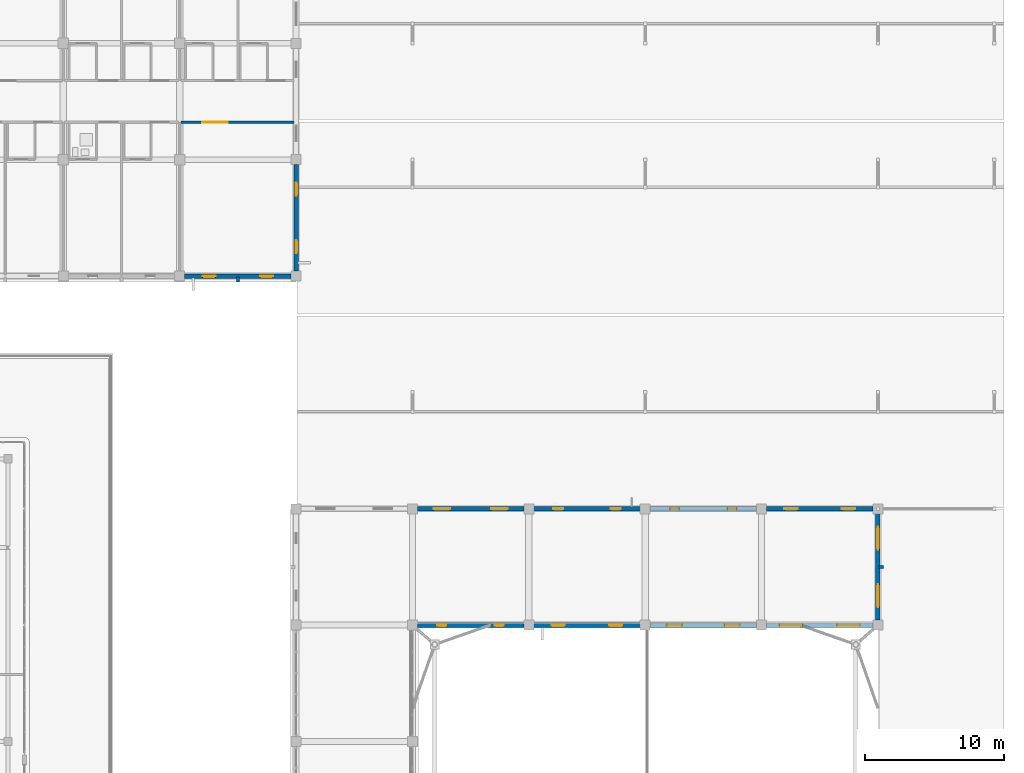
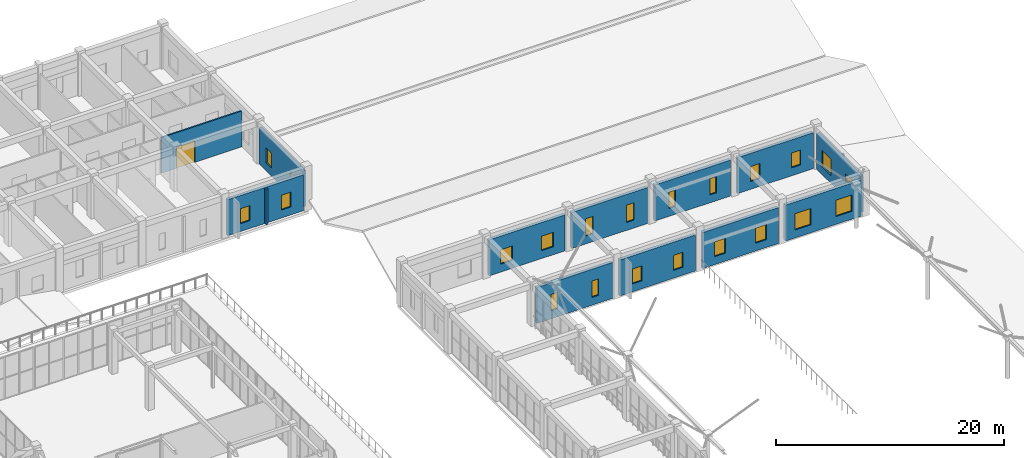
# One storey, part 137 of 158: 22 windows, 14 walls, 1 door, 23 openings.
"""IFC4 building model written with IfcOpenShell, lengths in metres."""

from ifc_helpers import new_model, si_unit, direction, frame, frame_2d, origin, place, context, subcontext, project, spatial, rectangle, extrude, material, layer, layer_set, type_object, element, fill, save


model = new_model("IFC4")

# Units and contexts
model_context = context("Model", 3, precision=1e-05, world=origin(), true_north=direction((0.0, 1.0)))
body_context = subcontext(model_context, "Body", "Model", "MODEL_VIEW")
ifc_project = project(units=[si_unit("LENGTHUNIT", "METRE"), si_unit("AREAUNIT", "SQUARE_METRE"), si_unit("VOLUMEUNIT", "CUBIC_METRE"), si_unit("PLANEANGLEUNIT", "RADIAN"), si_unit("MASSUNIT", "GRAM", prefix="KILO")], contexts=[model_context])

# Site, building, storey
site_placement = place(None, origin())
site = spatial("IfcSite", under=ifc_project, at=site_placement, CompositionType="ELEMENT")
building_placement = place(site_placement, origin())
building = spatial("IfcBuilding", under=site, at=building_placement, Name="Trelvath General Hospital", CompositionType="ELEMENT")
storey_placement = place(building_placement, frame((0.0, 0.0, 8.10009765625)))
storey = spatial("IfcBuildingStorey", under=building, at=storey_placement, Name="L02", CompositionType="ELEMENT", Elevation=8.10009765625)

# Walls
ifc_material_1 = material(Name="Precast concrete C40/50", Category="concrete")
ifc_layer_1 = layer(ifc_material_1, 0.199951171875)
ifc_layer_set_1 = layer_set([ifc_layer_1], Name="Precast concrete C40/50")
wall_type_1 = type_object("IfcWallType", Name="BriseSoleilRib 200", PredefinedType="ELEMENTEDWALL", material=ifc_layer_set_1)
for number, where, z_axis, x_axis, name in (
    (1, (130.199951171875, 92.324951171875, 0.0), (0.0, 0.0, 1.0), (0.0, -1.0, 0.0), "Precast Concrete Brise-Soleil Rib Fin L02-221"),
    (2, (176.47509765625, 71.39990234375, 0.0), (0.0, 0.0, 1.0), (1.0, 0.0, 0.0), "Precast Concrete Brise-Soleil Rib Fin L02-225"),
):
    element("IfcWall", number, at=place(storey_placement, frame(where, z_axis=z_axis, x_axis=x_axis)), inside=storey, type_object=wall_type_1, Name=name, PredefinedType="ELEMENTEDWALL", context=body_context, shape_type="SweptSolid", body=[
        extrude(rectangle(XDim=0.33984375, YDim=0.199951171875, at=frame_2d((0.169921875, 0.0))), origin(), (0.0, 0.0, 1.0), 3.83984375),
    ])

# Wall, opening, door
ifc_material_2 = material(Name="Gypsum acoustic steel-stud partition", Category="steel")
ifc_layer_2 = layer(ifc_material_2, 0.14990234375)
ifc_layer_set_2 = layer_set([ifc_layer_2], Name="Gypsum acoustic steel-stud partition")
wall_type_2 = type_object("IfcWallType", Name="ClinicalPartition 150", PredefinedType="PARTITIONING", material=ifc_layer_set_2)
wall_1_placement = place(storey_placement, frame((126.080078125, 103.5, 0.0), z_axis=(0.0, 0.0, 1.0), x_axis=(1.0, 0.0, 0.0)))
wall_1 = element("IfcWall", 3, at=wall_1_placement, inside=storey, type_object=wall_type_2, Name="Corridor Partition L02-1016", PredefinedType="PARTITIONING", context=body_context, shape_type="SweptSolid", body=[
    extrude(rectangle(XDim=8.179931640625, YDim=0.14990234375, at=frame_2d((4.08984375, 0.0))), origin(), (0.0, 0.0, 1.0), 3.83984375),
])
opening_1_placement = place(wall_1_placement, frame((1.530029296875, 0.0, 0.0)))
opening_1 = element("IfcOpeningElement", 4, at=opening_1_placement, cuts=wall_1, Name="Opening D-2-0791", PredefinedType="OPENING", context=body_context, shape_type="SweptSolid", body=[
    extrude(rectangle(XDim=1.85009765625, YDim=2.300048828125, at=frame_2d((0.925048828125, 1.14990234375))), frame((0.0, 0.0849609375, 0.0), z_axis=(0.0, -1.0, 0.0), x_axis=(1.0, 0.0, 0.0)), (0.0, 0.0, 1.0), 0.169921875),
])
ifc_material_3 = material(Name="Fire-rated steel cross-corridor pair", Category="steel")
door_type = type_object("IfcDoorType", Name="Door SmokeCross 1850x2300", OperationType="DOUBLE_SWING_LEFT", PredefinedType="DOOR", material=ifc_material_3)
door_placement = place(opening_1_placement, origin())
door = element("IfcDoor", 5, at=door_placement, inside=storey, type_object=door_type, Name="Waiting Lounge Door L02-791", OperationType="DOUBLE_SWING_LEFT", OverallHeight=2.300048828125, OverallWidth=1.85009765625, PredefinedType="DOOR", context=body_context, shape_type="SweptSolid", body=[
    extrude(rectangle(XDim=1.85009765625, YDim=2.300048828125, at=frame_2d((0.925048828125, 1.14990234375))), frame((0.0, 0.02490234375, 0.0), z_axis=(0.0, -1.0, 0.0), x_axis=(1.0, 0.0, 0.0)), (0.0, 0.0, 1.0), 0.050048828125),
])
fill(opening_1, door)

# Wall, openings, windows
ifc_material_4 = material(Name="Concrete C35/45", Category="concrete")
ifc_layer_3 = layer(ifc_material_4, 0.320068359375)
ifc_layer_set_3 = layer_set([ifc_layer_3], Name="Concrete C35/45")
wall_type_3 = type_object("IfcWallType", Name="ExtThermalWall 320", PredefinedType="SOLIDWALL", material=ifc_layer_set_3)
wall_2_placement = place(storey_placement, frame((134.044921875, 92.39990234375, 0.0), z_axis=(0.0, 0.0, 1.0), x_axis=(-1.0, 0.0, 0.0)))
wall_2 = element("IfcWall", 6, at=wall_2_placement, inside=storey, type_object=wall_type_3, Name="Exterior Concrete Wall L02-300", PredefinedType="SOLIDWALL", context=body_context, shape_type="SweptSolid", body=[
    extrude(rectangle(XDim=7.68994140625, YDim=0.320068359375, at=frame_2d((3.844970703125, 0.0))), origin(), (0.0, 0.0, 1.0), 3.85986328125),
])
opening_2_placement = place(wall_2_placement, frame((1.293701171875, 0.0, 0.85009765625)))
opening_2 = element("IfcOpeningElement", 7, at=opening_2_placement, cuts=wall_2, Name="Opening WN-2-477", PredefinedType="OPENING", context=body_context, shape_type="SweptSolid", body=[
    extrude(rectangle(XDim=0.949951171875, YDim=1.60009765625, at=frame_2d((0.47509765625, 0.800048828125))), frame((0.0, 0.169921875, 0.0), z_axis=(0.0, -1.0, 0.0), x_axis=(1.0, 0.0, 0.0)), (0.0, 0.0, 1.0), 0.340087890625),
])
opening_3_placement = place(wall_2_placement, frame((5.4462890625, 0.0, 0.85009765625)))
opening_3 = element("IfcOpeningElement", 8, at=opening_3_placement, cuts=wall_2, Name="Opening WN-2-478", PredefinedType="OPENING", context=body_context, shape_type="SweptSolid", body=[
    extrude(rectangle(XDim=0.949951171875, YDim=1.60009765625, at=frame_2d((0.47509765625, 0.800048828125))), frame((0.0, 0.169921875, 0.0), z_axis=(0.0, -1.0, 0.0), x_axis=(1.0, 0.0, 0.0)), (0.0, 0.0, 1.0), 0.340087890625),
])
ifc_material_5 = material(Name="Low-E laminated glass", Category="glass")
window_type_1 = type_object("IfcWindowType", Name="Window DeepReveal 950x1600", PartitioningType="SINGLE_PANEL", PredefinedType="WINDOW", material=ifc_material_5)
window_1_placement = place(opening_2_placement, origin())
window_1 = element("IfcWindow", 9, at=window_1_placement, inside=storey, type_object=window_type_1, Name="Solar Reveal Window L02-477", OverallHeight=1.60009765625, OverallWidth=0.949951171875, PartitioningType="SINGLE_PANEL", PredefinedType="WINDOW", context=body_context, shape_type="SweptSolid", body=[
    extrude(rectangle(XDim=0.949951171875, YDim=1.60009765625, at=frame_2d((0.47509765625, 0.800048828125))), frame((0.0, 0.030029296875, 0.0), z_axis=(0.0, -1.0, 0.0), x_axis=(1.0, 0.0, 0.0)), (0.0, 0.0, 1.0), 0.06005859375),
])
fill(opening_2, window_1)
window_2_placement = place(opening_3_placement, origin())
window_2 = element("IfcWindow", 10, at=window_2_placement, inside=storey, type_object=window_type_1, Name="Solar Reveal Window L02-478", OverallHeight=1.60009765625, OverallWidth=0.949951171875, PartitioningType="SINGLE_PANEL", PredefinedType="WINDOW", context=body_context, shape_type="SweptSolid", body=[
    extrude(rectangle(XDim=0.949951171875, YDim=1.60009765625, at=frame_2d((0.47509765625, 0.800048828125))), frame((0.0, 0.030029296875, 0.0), z_axis=(0.0, -1.0, 0.0), x_axis=(1.0, 0.0, 0.0)), (0.0, 0.0, 1.0), 0.06005859375),
])
fill(opening_3, window_2)

wall_3_placement = place(storey_placement, frame((134.39990234375, 100.445068359375, 0.0), z_axis=(0.0, 0.0, 1.0), x_axis=(0.0, -1.0, 0.0)))
wall_3 = element("IfcWall", 11, at=wall_3_placement, inside=storey, type_object=wall_type_3, Name="Exterior Concrete Wall L02-301", PredefinedType="SOLIDWALL", context=body_context, shape_type="SweptSolid", body=[
    extrude(rectangle(XDim=7.690185546875, YDim=0.320068359375, at=frame_2d((3.84521484375, 0.0))), origin(), (0.0, 0.0, 1.0), 3.85986328125),
])
opening_4_placement = place(wall_3_placement, frame((1.293701171875, 0.0, 0.85009765625)))
opening_4 = element("IfcOpeningElement", 12, at=opening_4_placement, cuts=wall_3, Name="Opening WN-2-479", PredefinedType="OPENING", context=body_context, shape_type="SweptSolid", body=[
    extrude(rectangle(XDim=0.949951171875, YDim=1.60009765625, at=frame_2d((0.47509765625, 0.800048828125))), frame((0.0, 0.169921875, 0.0), z_axis=(0.0, -1.0, 0.0), x_axis=(1.0, 0.0, 0.0)), (0.0, 0.0, 1.0), 0.340087890625),
])
opening_5_placement = place(wall_3_placement, frame((5.4462890625, 0.0, 0.85009765625)))
opening_5 = element("IfcOpeningElement", 13, at=opening_5_placement, cuts=wall_3, Name="Opening WN-2-480", PredefinedType="OPENING", context=body_context, shape_type="SweptSolid", body=[
    extrude(rectangle(XDim=0.949951171875, YDim=1.60009765625, at=frame_2d((0.47509765625, 0.800048828125))), frame((0.0, 0.169921875, 0.0), z_axis=(0.0, -1.0, 0.0), x_axis=(1.0, 0.0, 0.0)), (0.0, 0.0, 1.0), 0.340087890625),
])
window_3_placement = place(opening_4_placement, origin())
window_3 = element("IfcWindow", 14, at=window_3_placement, inside=storey, type_object=window_type_1, Name="Solar Reveal Window L02-479", OverallHeight=1.60009765625, OverallWidth=0.949951171875, PartitioningType="SINGLE_PANEL", PredefinedType="WINDOW", context=body_context, shape_type="SweptSolid", body=[
    extrude(rectangle(XDim=0.949951171875, YDim=1.60009765625, at=frame_2d((0.47509765625, 0.800048828125))), frame((0.0, 0.030029296875, 0.0), z_axis=(0.0, -1.0, 0.0), x_axis=(1.0, 0.0, 0.0)), (0.0, 0.0, 1.0), 0.06005859375),
])
fill(opening_4, window_3)
window_4_placement = place(opening_5_placement, origin())
window_4 = element("IfcWindow", 15, at=window_4_placement, inside=storey, type_object=window_type_1, Name="Solar Reveal Window L02-480", OverallHeight=1.60009765625, OverallWidth=0.949951171875, PartitioningType="SINGLE_PANEL", PredefinedType="WINDOW", context=body_context, shape_type="SweptSolid", body=[
    extrude(rectangle(XDim=0.949951171875, YDim=1.60009765625, at=frame_2d((0.47509765625, 0.800048828125))), frame((0.0, 0.030029296875, 0.0), z_axis=(0.0, -1.0, 0.0), x_axis=(1.0, 0.0, 0.0)), (0.0, 0.0, 1.0), 0.06005859375),
])
fill(opening_5, window_4)

wall_4_placement = place(storey_placement, frame((150.844970703125, 67.199951171875, 0.0), z_axis=(0.0, 0.0, 1.0), x_axis=(-1.0, 0.0, 0.0)))
wall_4 = element("IfcWall", 16, at=wall_4_placement, inside=storey, type_object=wall_type_3, Name="Exterior Concrete Wall L02-310", PredefinedType="SOLIDWALL", context=body_context, shape_type="SweptSolid", body=[
    extrude(rectangle(XDim=7.68994140625, YDim=0.320068359375, at=frame_2d((3.844970703125, 0.0))), origin(), (0.0, 0.0, 1.0), 3.85986328125),
])
opening_6_placement = place(wall_4_placement, frame((1.443603515625, 0.0, 0.85009765625)))
opening_6 = element("IfcOpeningElement", 17, at=opening_6_placement, cuts=wall_4, Name="Opening WN-2-497", PredefinedType="OPENING", context=body_context, shape_type="SweptSolid", body=[
    extrude(rectangle(XDim=0.64990234375, YDim=1.75, at=frame_2d((0.324951171875, 0.875))), frame((0.0, 0.169921875, 0.0), z_axis=(0.0, -1.0, 0.0), x_axis=(1.0, 0.0, 0.0)), (0.0, 0.0, 1.0), 0.340087890625),
])
opening_7_placement = place(wall_4_placement, frame((5.59619140625, 0.0, 0.85009765625)))
opening_7 = element("IfcOpeningElement", 18, at=opening_7_placement, cuts=wall_4, Name="Opening WN-2-498", PredefinedType="OPENING", context=body_context, shape_type="SweptSolid", body=[
    extrude(rectangle(XDim=0.64990234375, YDim=1.75, at=frame_2d((0.324951171875, 0.875))), frame((0.0, 0.169921875, 0.0), z_axis=(0.0, -1.0, 0.0), x_axis=(1.0, 0.0, 0.0)), (0.0, 0.0, 1.0), 0.340087890625),
])
ifc_material_6 = material(Name="Low-E laminated glass", Category="glass")
window_type_2 = type_object("IfcWindowType", Name="Window SunSlot 650x1750", PartitioningType="SINGLE_PANEL", PredefinedType="WINDOW", material=ifc_material_6)
window_5_placement = place(opening_6_placement, origin())
window_5 = element("IfcWindow", 19, at=window_5_placement, inside=storey, type_object=window_type_2, Name="Solar Reveal Window L02-497", OverallHeight=1.75, OverallWidth=0.64990234375, PartitioningType="SINGLE_PANEL", PredefinedType="WINDOW", context=body_context, shape_type="SweptSolid", body=[
    extrude(rectangle(XDim=0.64990234375, YDim=1.75, at=frame_2d((0.324951171875, 0.875))), frame((0.0, 0.030029296875, 0.0), z_axis=(0.0, -1.0, 0.0), x_axis=(1.0, 0.0, 0.0)), (0.0, 0.0, 1.0), 0.06005859375),
])
fill(opening_6, window_5)
window_6_placement = place(opening_7_placement, origin())
window_6 = element("IfcWindow", 20, at=window_6_placement, inside=storey, type_object=window_type_2, Name="Solar Reveal Window L02-498", OverallHeight=1.75, OverallWidth=0.64990234375, PartitioningType="SINGLE_PANEL", PredefinedType="WINDOW", context=body_context, shape_type="SweptSolid", body=[
    extrude(rectangle(XDim=0.64990234375, YDim=1.75, at=frame_2d((0.324951171875, 0.875))), frame((0.0, 0.030029296875, 0.0), z_axis=(0.0, -1.0, 0.0), x_axis=(1.0, 0.0, 0.0)), (0.0, 0.0, 1.0), 0.06005859375),
])
fill(opening_7, window_6)

wall_5_placement = place(storey_placement, frame((143.155029296875, 75.60009765625, 0.0), z_axis=(0.0, 0.0, 1.0), x_axis=(1.0, 0.0, 0.0)))
wall_5 = element("IfcWall", 21, at=wall_5_placement, inside=storey, type_object=wall_type_3, Name="Exterior Concrete Wall L02-311", PredefinedType="SOLIDWALL", context=body_context, shape_type="SweptSolid", body=[
    extrude(rectangle(XDim=7.68994140625, YDim=0.320068359375, at=frame_2d((3.844970703125, 0.0))), origin(), (0.0, 0.0, 1.0), 3.85986328125),
])
opening_8_placement = place(wall_5_placement, frame((1.168701171875, 0.0, 0.85009765625)))
opening_8 = element("IfcOpeningElement", 22, at=opening_8_placement, cuts=wall_5, Name="Opening WN-2-499", PredefinedType="OPENING", context=body_context, shape_type="SweptSolid", body=[
    extrude(rectangle(XDim=1.199951171875, YDim=1.550048828125, at=frame_2d((0.60009765625, 0.77490234375))), frame((0.0, 0.169921875, 0.0), z_axis=(0.0, -1.0, 0.0), x_axis=(1.0, 0.0, 0.0)), (0.0, 0.0, 1.0), 0.340087890625),
])
opening_9_placement = place(wall_5_placement, frame((5.3212890625, 0.0, 0.85009765625)))
opening_9 = element("IfcOpeningElement", 23, at=opening_9_placement, cuts=wall_5, Name="Opening WN-2-500", PredefinedType="OPENING", context=body_context, shape_type="SweptSolid", body=[
    extrude(rectangle(XDim=1.199951171875, YDim=1.550048828125, at=frame_2d((0.60009765625, 0.77490234375))), frame((0.0, 0.169921875, 0.0), z_axis=(0.0, -1.0, 0.0), x_axis=(1.0, 0.0, 0.0)), (0.0, 0.0, 1.0), 0.340087890625),
])
ifc_material_7 = material(Name="Low-E laminated glass", Category="glass")
window_type_3 = type_object("IfcWindowType", Name="Window WardSouth 1200x1550", PartitioningType="SINGLE_PANEL", PredefinedType="WINDOW", material=ifc_material_7)
window_7_placement = place(opening_8_placement, origin())
window_7 = element("IfcWindow", 24, at=window_7_placement, inside=storey, type_object=window_type_3, Name="Solar Reveal Window L02-499", OverallHeight=1.550048828125, OverallWidth=1.199951171875, PartitioningType="SINGLE_PANEL", PredefinedType="WINDOW", context=body_context, shape_type="SweptSolid", body=[
    extrude(rectangle(XDim=1.199951171875, YDim=1.550048828125, at=frame_2d((0.60009765625, 0.77490234375))), frame((0.0, 0.030029296875, 0.0), z_axis=(0.0, -1.0, 0.0), x_axis=(1.0, 0.0, 0.0)), (0.0, 0.0, 1.0), 0.06005859375),
])
fill(opening_8, window_7)
window_8_placement = place(opening_9_placement, origin())
window_8 = element("IfcWindow", 25, at=window_8_placement, inside=storey, type_object=window_type_3, Name="Solar Reveal Window L02-500", OverallHeight=1.550048828125, OverallWidth=1.199951171875, PartitioningType="SINGLE_PANEL", PredefinedType="WINDOW", context=body_context, shape_type="SweptSolid", body=[
    extrude(rectangle(XDim=1.199951171875, YDim=1.550048828125, at=frame_2d((0.60009765625, 0.77490234375))), frame((0.0, 0.030029296875, 0.0), z_axis=(0.0, -1.0, 0.0), x_axis=(1.0, 0.0, 0.0)), (0.0, 0.0, 1.0), 0.06005859375),
])
fill(opening_9, window_8)

wall_6_placement = place(storey_placement, frame((159.2451171875, 67.199951171875, 0.0), z_axis=(0.0, 0.0, 1.0), x_axis=(-1.0, 0.0, 0.0)))
wall_6 = element("IfcWall", 26, at=wall_6_placement, inside=storey, type_object=wall_type_3, Name="Exterior Concrete Wall L02-314", PredefinedType="SOLIDWALL", context=body_context, shape_type="SweptSolid", body=[
    extrude(rectangle(XDim=7.690185546875, YDim=0.320068359375, at=frame_2d((3.84521484375, 0.0))), origin(), (0.0, 0.0, 1.0), 3.85986328125),
])
opening_10_placement = place(wall_6_placement, frame((1.293701171875, 0.0, 0.85009765625)))
opening_10 = element("IfcOpeningElement", 27, at=opening_10_placement, cuts=wall_6, Name="Opening WN-2-505", PredefinedType="OPENING", context=body_context, shape_type="SweptSolid", body=[
    extrude(rectangle(XDim=0.949951171875, YDim=1.60009765625, at=frame_2d((0.47509765625, 0.800048828125))), frame((0.0, 0.169921875, 0.0), z_axis=(0.0, -1.0, 0.0), x_axis=(1.0, 0.0, 0.0)), (0.0, 0.0, 1.0), 0.340087890625),
])
opening_11_placement = place(wall_6_placement, frame((5.4462890625, 0.0, 0.85009765625)))
opening_11 = element("IfcOpeningElement", 28, at=opening_11_placement, cuts=wall_6, Name="Opening WN-2-506", PredefinedType="OPENING", context=body_context, shape_type="SweptSolid", body=[
    extrude(rectangle(XDim=0.949951171875, YDim=1.60009765625, at=frame_2d((0.47509765625, 0.800048828125))), frame((0.0, 0.169921875, 0.0), z_axis=(0.0, -1.0, 0.0), x_axis=(1.0, 0.0, 0.0)), (0.0, 0.0, 1.0), 0.340087890625),
])
window_9_placement = place(opening_10_placement, origin())
window_9 = element("IfcWindow", 29, at=window_9_placement, inside=storey, type_object=window_type_1, Name="Solar Reveal Window L02-505", OverallHeight=1.60009765625, OverallWidth=0.949951171875, PartitioningType="SINGLE_PANEL", PredefinedType="WINDOW", context=body_context, shape_type="SweptSolid", body=[
    extrude(rectangle(XDim=0.949951171875, YDim=1.60009765625, at=frame_2d((0.47509765625, 0.800048828125))), frame((0.0, 0.030029296875, 0.0), z_axis=(0.0, -1.0, 0.0), x_axis=(1.0, 0.0, 0.0)), (0.0, 0.0, 1.0), 0.06005859375),
])
fill(opening_10, window_9)
window_10_placement = place(opening_11_placement, origin())
window_10 = element("IfcWindow", 30, at=window_10_placement, inside=storey, type_object=window_type_1, Name="Solar Reveal Window L02-506", OverallHeight=1.60009765625, OverallWidth=0.949951171875, PartitioningType="SINGLE_PANEL", PredefinedType="WINDOW", context=body_context, shape_type="SweptSolid", body=[
    extrude(rectangle(XDim=0.949951171875, YDim=1.60009765625, at=frame_2d((0.47509765625, 0.800048828125))), frame((0.0, 0.030029296875, 0.0), z_axis=(0.0, -1.0, 0.0), x_axis=(1.0, 0.0, 0.0)), (0.0, 0.0, 1.0), 0.06005859375),
])
fill(opening_11, window_10)

wall_7_placement = place(storey_placement, frame((151.554931640625, 75.60009765625, 0.0), z_axis=(0.0, 0.0, 1.0), x_axis=(1.0, 0.0, 0.0)))
wall_7 = element("IfcWall", 31, at=wall_7_placement, inside=storey, type_object=wall_type_3, Name="Exterior Concrete Wall L02-315", PredefinedType="SOLIDWALL", context=body_context, shape_type="SweptSolid", body=[
    extrude(rectangle(XDim=7.690185546875, YDim=0.320068359375, at=frame_2d((3.84521484375, 0.0))), origin(), (0.0, 0.0, 1.0), 3.85986328125),
])
opening_12_placement = place(wall_7_placement, frame((1.393798828125, 0.0, 0.85009765625)))
opening_12 = element("IfcOpeningElement", 32, at=opening_12_placement, cuts=wall_7, Name="Opening WN-2-507", PredefinedType="OPENING", context=body_context, shape_type="SweptSolid", body=[
    extrude(rectangle(XDim=0.75, YDim=1.85009765625, at=frame_2d((0.375, 0.925048828125))), frame((0.0, 0.169921875, 0.0), z_axis=(0.0, -1.0, 0.0), x_axis=(1.0, 0.0, 0.0)), (0.0, 0.0, 1.0), 0.340087890625),
])
opening_13_placement = place(wall_7_placement, frame((5.54638671875, 0.0, 0.85009765625)))
opening_13 = element("IfcOpeningElement", 33, at=opening_13_placement, cuts=wall_7, Name="Opening WN-2-508", PredefinedType="OPENING", context=body_context, shape_type="SweptSolid", body=[
    extrude(rectangle(XDim=0.75, YDim=1.85009765625, at=frame_2d((0.375, 0.925048828125))), frame((0.0, 0.169921875, 0.0), z_axis=(0.0, -1.0, 0.0), x_axis=(1.0, 0.0, 0.0)), (0.0, 0.0, 1.0), 0.340087890625),
])
ifc_material_8 = material(Name="Low-E laminated glass", Category="glass")
window_type_4 = type_object("IfcWindowType", Name="Window SunSlot 750x1850", PartitioningType="SINGLE_PANEL", PredefinedType="WINDOW", material=ifc_material_8)
window_11_placement = place(opening_12_placement, origin())
window_11 = element("IfcWindow", 34, at=window_11_placement, inside=storey, type_object=window_type_4, Name="Solar Reveal Window L02-507", OverallHeight=1.85009765625, OverallWidth=0.75, PartitioningType="SINGLE_PANEL", PredefinedType="WINDOW", context=body_context, shape_type="SweptSolid", body=[
    extrude(rectangle(XDim=0.75, YDim=1.85009765625, at=frame_2d((0.375, 0.925048828125))), frame((0.0, 0.030029296875, 0.0), z_axis=(0.0, -1.0, 0.0), x_axis=(1.0, 0.0, 0.0)), (0.0, 0.0, 1.0), 0.06005859375),
])
fill(opening_12, window_11)
window_12_placement = place(opening_13_placement, origin())
window_12 = element("IfcWindow", 35, at=window_12_placement, inside=storey, type_object=window_type_4, Name="Solar Reveal Window L02-508", OverallHeight=1.85009765625, OverallWidth=0.75, PartitioningType="SINGLE_PANEL", PredefinedType="WINDOW", context=body_context, shape_type="SweptSolid", body=[
    extrude(rectangle(XDim=0.75, YDim=1.85009765625, at=frame_2d((0.375, 0.925048828125))), frame((0.0, 0.030029296875, 0.0), z_axis=(0.0, -1.0, 0.0), x_axis=(1.0, 0.0, 0.0)), (0.0, 0.0, 1.0), 0.06005859375),
])
fill(opening_13, window_12)

wall_8_placement = place(storey_placement, frame((167.64501953125, 67.199951171875, 0.0), z_axis=(0.0, 0.0, 1.0), x_axis=(-1.0, 0.0, 0.0)))
wall_8 = element("IfcWall", 36, at=wall_8_placement, inside=storey, type_object=wall_type_3, Name="Exterior Concrete Wall L02-318", PredefinedType="SOLIDWALL", context=body_context, shape_type="SweptSolid", body=[
    extrude(rectangle(XDim=7.68994140625, YDim=0.320068359375, at=frame_2d((3.844970703125, 0.0))), origin(), (0.0, 0.0, 1.0), 3.85986328125),
])
opening_14_placement = place(wall_8_placement, frame((1.21875, 0.0, 0.85009765625)))
opening_14 = element("IfcOpeningElement", 37, at=opening_14_placement, cuts=wall_8, Name="Opening WN-2-513", PredefinedType="OPENING", context=body_context, shape_type="SweptSolid", body=[
    extrude(rectangle(XDim=1.10009765625, YDim=1.60009765625, at=frame_2d((0.550048828125, 0.800048828125))), frame((0.0, 0.169921875, 0.0), z_axis=(0.0, -1.0, 0.0), x_axis=(1.0, 0.0, 0.0)), (0.0, 0.0, 1.0), 0.340087890625),
])
opening_15_placement = place(wall_8_placement, frame((5.371337890625, 0.0, 0.85009765625)))
opening_15 = element("IfcOpeningElement", 38, at=opening_15_placement, cuts=wall_8, Name="Opening WN-2-514", PredefinedType="OPENING", context=body_context, shape_type="SweptSolid", body=[
    extrude(rectangle(XDim=1.10009765625, YDim=1.60009765625, at=frame_2d((0.550048828125, 0.800048828125))), frame((0.0, 0.169921875, 0.0), z_axis=(0.0, -1.0, 0.0), x_axis=(1.0, 0.0, 0.0)), (0.0, 0.0, 1.0), 0.340087890625),
])
ifc_material_9 = material(Name="Low-E laminated glass", Category="glass")
window_type_5 = type_object("IfcWindowType", Name="Window DeepReveal 1100x1600", PartitioningType="SINGLE_PANEL", PredefinedType="WINDOW", material=ifc_material_9)
window_13_placement = place(opening_14_placement, origin())
window_13 = element("IfcWindow", 39, at=window_13_placement, inside=storey, type_object=window_type_5, Name="Solar Reveal Window L02-513", OverallHeight=1.60009765625, OverallWidth=1.10009765625, PartitioningType="SINGLE_PANEL", PredefinedType="WINDOW", context=body_context, shape_type="SweptSolid", body=[
    extrude(rectangle(XDim=1.10009765625, YDim=1.60009765625, at=frame_2d((0.550048828125, 0.800048828125))), frame((0.0, 0.030029296875, 0.0), z_axis=(0.0, -1.0, 0.0), x_axis=(1.0, 0.0, 0.0)), (0.0, 0.0, 1.0), 0.06005859375),
])
fill(opening_14, window_13)
window_14_placement = place(opening_15_placement, origin())
window_14 = element("IfcWindow", 40, at=window_14_placement, inside=storey, type_object=window_type_5, Name="Solar Reveal Window L02-514", OverallHeight=1.60009765625, OverallWidth=1.10009765625, PartitioningType="SINGLE_PANEL", PredefinedType="WINDOW", context=body_context, shape_type="SweptSolid", body=[
    extrude(rectangle(XDim=1.10009765625, YDim=1.60009765625, at=frame_2d((0.550048828125, 0.800048828125))), frame((0.0, 0.030029296875, 0.0), z_axis=(0.0, -1.0, 0.0), x_axis=(1.0, 0.0, 0.0)), (0.0, 0.0, 1.0), 0.06005859375),
])
fill(opening_15, window_14)

wall_9_placement = place(storey_placement, frame((159.955078125, 75.60009765625, 0.0), z_axis=(0.0, 0.0, 1.0), x_axis=(1.0, 0.0, 0.0)))
wall_9 = element("IfcWall", 41, at=wall_9_placement, inside=storey, type_object=wall_type_3, Name="Exterior Concrete Wall L02-319", PredefinedType="SOLIDWALL", context=body_context, shape_type="SweptSolid", body=[
    extrude(rectangle(XDim=7.68994140625, YDim=0.320068359375, at=frame_2d((3.844970703125, 0.0))), origin(), (0.0, 0.0, 1.0), 3.85986328125),
])
opening_16_placement = place(wall_9_placement, frame((1.443603515625, 0.0, 0.85009765625)))
opening_16 = element("IfcOpeningElement", 42, at=opening_16_placement, cuts=wall_9, Name="Opening WN-2-515", PredefinedType="OPENING", context=body_context, shape_type="SweptSolid", body=[
    extrude(rectangle(XDim=0.64990234375, YDim=1.75, at=frame_2d((0.324951171875, 0.875))), frame((0.0, 0.169921875, 0.0), z_axis=(0.0, -1.0, 0.0), x_axis=(1.0, 0.0, 0.0)), (0.0, 0.0, 1.0), 0.340087890625),
])
opening_17_placement = place(wall_9_placement, frame((5.59619140625, 0.0, 0.85009765625)))
opening_17 = element("IfcOpeningElement", 43, at=opening_17_placement, cuts=wall_9, Name="Opening WN-2-516", PredefinedType="OPENING", context=body_context, shape_type="SweptSolid", body=[
    extrude(rectangle(XDim=0.64990234375, YDim=1.75, at=frame_2d((0.324951171875, 0.875))), frame((0.0, 0.169921875, 0.0), z_axis=(0.0, -1.0, 0.0), x_axis=(1.0, 0.0, 0.0)), (0.0, 0.0, 1.0), 0.340087890625),
])
window_15_placement = place(opening_16_placement, origin())
window_15 = element("IfcWindow", 44, at=window_15_placement, inside=storey, type_object=window_type_2, Name="Solar Reveal Window L02-515", OverallHeight=1.75, OverallWidth=0.64990234375, PartitioningType="SINGLE_PANEL", PredefinedType="WINDOW", context=body_context, shape_type="SweptSolid", body=[
    extrude(rectangle(XDim=0.64990234375, YDim=1.75, at=frame_2d((0.324951171875, 0.875))), frame((0.0, 0.030029296875, 0.0), z_axis=(0.0, -1.0, 0.0), x_axis=(1.0, 0.0, 0.0)), (0.0, 0.0, 1.0), 0.06005859375),
])
fill(opening_16, window_15)
window_16_placement = place(opening_17_placement, origin())
window_16 = element("IfcWindow", 45, at=window_16_placement, inside=storey, type_object=window_type_2, Name="Solar Reveal Window L02-516", OverallHeight=1.75, OverallWidth=0.64990234375, PartitioningType="SINGLE_PANEL", PredefinedType="WINDOW", context=body_context, shape_type="SweptSolid", body=[
    extrude(rectangle(XDim=0.64990234375, YDim=1.75, at=frame_2d((0.324951171875, 0.875))), frame((0.0, 0.030029296875, 0.0), z_axis=(0.0, -1.0, 0.0), x_axis=(1.0, 0.0, 0.0)), (0.0, 0.0, 1.0), 0.06005859375),
])
fill(opening_17, window_16)

wall_10_placement = place(storey_placement, frame((176.044921875, 67.199951171875, 0.0), z_axis=(0.0, 0.0, 1.0), x_axis=(-1.0, 0.0, 0.0)))
wall_10 = element("IfcWall", 46, at=wall_10_placement, inside=storey, type_object=wall_type_3, Name="Exterior Concrete Wall L02-323", PredefinedType="SOLIDWALL", context=body_context, shape_type="SweptSolid", body=[
    extrude(rectangle(XDim=7.68994140625, YDim=0.320068359375, at=frame_2d((3.844970703125, 0.0))), origin(), (0.0, 0.0, 1.0), 3.85986328125),
])
opening_18_placement = place(wall_10_placement, frame((0.94873046875, 0.0, 0.85009765625)))
opening_18 = element("IfcOpeningElement", 47, at=opening_18_placement, cuts=wall_10, Name="Opening WN-2-523", PredefinedType="OPENING", context=body_context, shape_type="SweptSolid", body=[
    extrude(rectangle(XDim=1.639892578125, YDim=1.75, at=frame_2d((0.81982421875, 0.875))), frame((0.0, 0.169921875, 0.0), z_axis=(0.0, -1.0, 0.0), x_axis=(1.0, 0.0, 0.0)), (0.0, 0.0, 1.0), 0.340087890625),
])
opening_19_placement = place(wall_10_placement, frame((5.101318359375, 0.0, 0.85009765625)))
opening_19 = element("IfcOpeningElement", 48, at=opening_19_placement, cuts=wall_10, Name="Opening WN-2-524", PredefinedType="OPENING", context=body_context, shape_type="SweptSolid", body=[
    extrude(rectangle(XDim=1.639892578125, YDim=1.75, at=frame_2d((0.81982421875, 0.875))), frame((0.0, 0.169921875, 0.0), z_axis=(0.0, -1.0, 0.0), x_axis=(1.0, 0.0, 0.0)), (0.0, 0.0, 1.0), 0.340087890625),
])
ifc_material_10 = material(Name="Low-E laminated glass", Category="glass")
window_type_6 = type_object("IfcWindowType", Name="Window ICU 1640x1750", PartitioningType="DOUBLE_PANEL_VERTICAL", PredefinedType="WINDOW", material=ifc_material_10)
window_17_placement = place(opening_18_placement, origin())
window_17 = element("IfcWindow", 49, at=window_17_placement, inside=storey, type_object=window_type_6, Name="Solar Reveal Window L02-523", OverallHeight=1.75, OverallWidth=1.639892578125, PartitioningType="SINGLE_PANEL", PredefinedType="WINDOW", context=body_context, shape_type="SweptSolid", body=[
    extrude(rectangle(XDim=1.639892578125, YDim=1.75, at=frame_2d((0.81982421875, 0.875))), frame((0.0, 0.030029296875, 0.0), z_axis=(0.0, -1.0, 0.0), x_axis=(1.0, 0.0, 0.0)), (0.0, 0.0, 1.0), 0.06005859375),
])
fill(opening_18, window_17)
window_18_placement = place(opening_19_placement, origin())
window_18 = element("IfcWindow", 50, at=window_18_placement, inside=storey, type_object=window_type_6, Name="Solar Reveal Window L02-524", OverallHeight=1.75, OverallWidth=1.639892578125, PartitioningType="SINGLE_PANEL", PredefinedType="WINDOW", context=body_context, shape_type="SweptSolid", body=[
    extrude(rectangle(XDim=1.639892578125, YDim=1.75, at=frame_2d((0.81982421875, 0.875))), frame((0.0, 0.030029296875, 0.0), z_axis=(0.0, -1.0, 0.0), x_axis=(1.0, 0.0, 0.0)), (0.0, 0.0, 1.0), 0.06005859375),
])
fill(opening_19, window_18)

wall_11_placement = place(storey_placement, frame((168.35498046875, 75.60009765625, 0.0), z_axis=(0.0, 0.0, 1.0), x_axis=(1.0, 0.0, 0.0)))
wall_11 = element("IfcWall", 51, at=wall_11_placement, inside=storey, type_object=wall_type_3, Name="Exterior Concrete Wall L02-324", PredefinedType="SOLIDWALL", context=body_context, shape_type="SweptSolid", body=[
    extrude(rectangle(XDim=7.68994140625, YDim=0.320068359375, at=frame_2d((3.844970703125, 0.0))), origin(), (0.0, 0.0, 1.0), 3.85986328125),
])
opening_20_placement = place(wall_11_placement, frame((1.293701171875, 0.0, 0.85009765625)))
opening_20 = element("IfcOpeningElement", 52, at=opening_20_placement, cuts=wall_11, Name="Opening WN-2-525", PredefinedType="OPENING", context=body_context, shape_type="SweptSolid", body=[
    extrude(rectangle(XDim=0.949951171875, YDim=1.60009765625, at=frame_2d((0.47509765625, 0.800048828125))), frame((0.0, 0.169921875, 0.0), z_axis=(0.0, -1.0, 0.0), x_axis=(1.0, 0.0, 0.0)), (0.0, 0.0, 1.0), 0.340087890625),
])
opening_21_placement = place(wall_11_placement, frame((5.4462890625, 0.0, 0.85009765625)))
opening_21 = element("IfcOpeningElement", 53, at=opening_21_placement, cuts=wall_11, Name="Opening WN-2-526", PredefinedType="OPENING", context=body_context, shape_type="SweptSolid", body=[
    extrude(rectangle(XDim=0.949951171875, YDim=1.60009765625, at=frame_2d((0.47509765625, 0.800048828125))), frame((0.0, 0.169921875, 0.0), z_axis=(0.0, -1.0, 0.0), x_axis=(1.0, 0.0, 0.0)), (0.0, 0.0, 1.0), 0.340087890625),
])
window_19_placement = place(opening_20_placement, origin())
window_19 = element("IfcWindow", 54, at=window_19_placement, inside=storey, type_object=window_type_1, Name="Solar Reveal Window L02-525", OverallHeight=1.60009765625, OverallWidth=0.949951171875, PartitioningType="SINGLE_PANEL", PredefinedType="WINDOW", context=body_context, shape_type="SweptSolid", body=[
    extrude(rectangle(XDim=0.949951171875, YDim=1.60009765625, at=frame_2d((0.47509765625, 0.800048828125))), frame((0.0, 0.030029296875, 0.0), z_axis=(0.0, -1.0, 0.0), x_axis=(1.0, 0.0, 0.0)), (0.0, 0.0, 1.0), 0.06005859375),
])
fill(opening_20, window_19)
window_20_placement = place(opening_21_placement, origin())
window_20 = element("IfcWindow", 55, at=window_20_placement, inside=storey, type_object=window_type_1, Name="Solar Reveal Window L02-526", OverallHeight=1.60009765625, OverallWidth=0.949951171875, PartitioningType="SINGLE_PANEL", PredefinedType="WINDOW", context=body_context, shape_type="SweptSolid", body=[
    extrude(rectangle(XDim=0.949951171875, YDim=1.60009765625, at=frame_2d((0.47509765625, 0.800048828125))), frame((0.0, 0.030029296875, 0.0), z_axis=(0.0, -1.0, 0.0), x_axis=(1.0, 0.0, 0.0)), (0.0, 0.0, 1.0), 0.06005859375),
])
fill(opening_21, window_20)

wall_12_placement = place(storey_placement, frame((176.39990234375, 75.2451171875, 0.0), z_axis=(0.0, 0.0, 1.0), x_axis=(0.0, -1.0, 0.0)))
wall_12 = element("IfcWall", 56, at=wall_12_placement, inside=storey, type_object=wall_type_3, Name="Exterior Concrete Wall L02-325", PredefinedType="SOLIDWALL", context=body_context, shape_type="SweptSolid", body=[
    extrude(rectangle(XDim=7.690185546875, YDim=0.320068359375, at=frame_2d((3.84521484375, 0.0))), origin(), (0.0, 0.0, 1.0), 3.85986328125),
])
opening_22_placement = place(wall_12_placement, frame((0.94873046875, 0.0, 0.85009765625)))
opening_22 = element("IfcOpeningElement", 57, at=opening_22_placement, cuts=wall_12, Name="Opening WN-2-527", PredefinedType="OPENING", context=body_context, shape_type="SweptSolid", body=[
    extrude(rectangle(XDim=1.639892578125, YDim=1.75, at=frame_2d((0.81982421875, 0.875))), frame((0.0, 0.169921875, 0.0), z_axis=(0.0, -1.0, 0.0), x_axis=(1.0, 0.0, 0.0)), (0.0, 0.0, 1.0), 0.340087890625),
])
opening_23_placement = place(wall_12_placement, frame((5.101318359375, 0.0, 0.85009765625)))
opening_23 = element("IfcOpeningElement", 58, at=opening_23_placement, cuts=wall_12, Name="Opening WN-2-528", PredefinedType="OPENING", context=body_context, shape_type="SweptSolid", body=[
    extrude(rectangle(XDim=1.639892578125, YDim=1.75, at=frame_2d((0.81982421875, 0.875))), frame((0.0, 0.169921875, 0.0), z_axis=(0.0, -1.0, 0.0), x_axis=(1.0, 0.0, 0.0)), (0.0, 0.0, 1.0), 0.340087890625),
])
window_21_placement = place(opening_22_placement, origin())
window_21 = element("IfcWindow", 59, at=window_21_placement, inside=storey, type_object=window_type_6, Name="Solar Reveal Window L02-527", OverallHeight=1.75, OverallWidth=1.639892578125, PartitioningType="SINGLE_PANEL", PredefinedType="WINDOW", context=body_context, shape_type="SweptSolid", body=[
    extrude(rectangle(XDim=1.639892578125, YDim=1.75, at=frame_2d((0.81982421875, 0.875))), frame((0.0, 0.030029296875, 0.0), z_axis=(0.0, -1.0, 0.0), x_axis=(1.0, 0.0, 0.0)), (0.0, 0.0, 1.0), 0.06005859375),
])
fill(opening_22, window_21)
window_22_placement = place(opening_23_placement, origin())
window_22 = element("IfcWindow", 60, at=window_22_placement, inside=storey, type_object=window_type_6, Name="Solar Reveal Window L02-528", OverallHeight=1.75, OverallWidth=1.639892578125, PartitioningType="SINGLE_PANEL", PredefinedType="WINDOW", context=body_context, shape_type="SweptSolid", body=[
    extrude(rectangle(XDim=1.639892578125, YDim=1.75, at=frame_2d((0.81982421875, 0.875))), frame((0.0, 0.030029296875, 0.0), z_axis=(0.0, -1.0, 0.0), x_axis=(1.0, 0.0, 0.0)), (0.0, 0.0, 1.0), 0.06005859375),
])
fill(opening_23, window_22)

save(model, "model.ifc")
